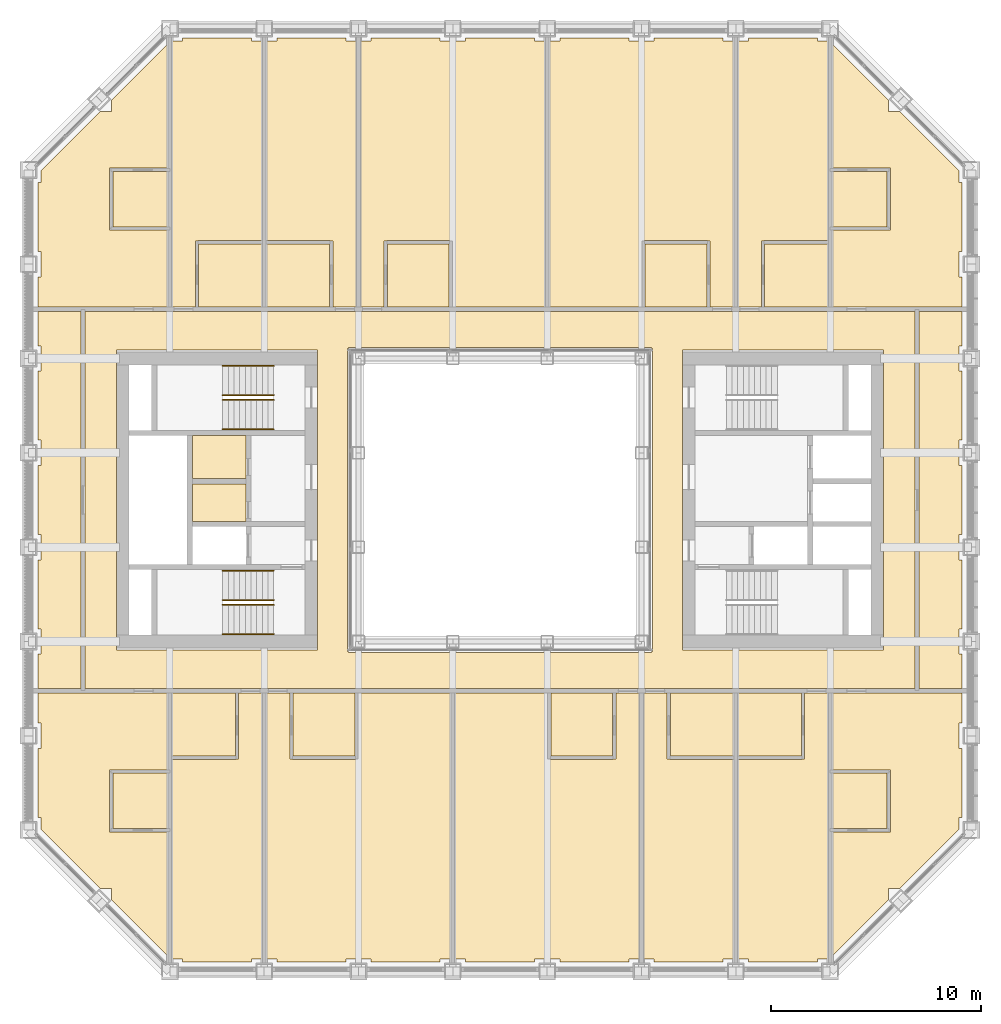
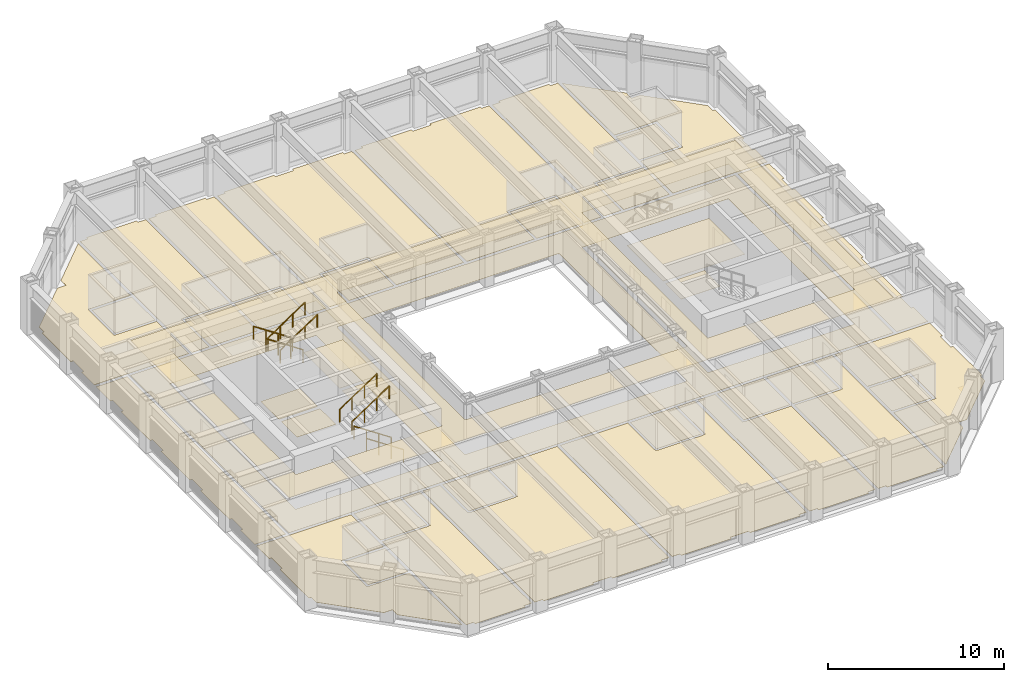
# One storey, part 15 of 17: 8 railings, 5 coverings.
"""IFC4 building model written with IfcOpenShell, lengths in metres."""

from ifc_helpers import new_model, si_unit, direction, frame, origin, origin_2d, place, context, subcontext, project, spatial, line, indexed_curve, circle, outline, extrude, material, layer, layer_set, type_object, element, save


model = new_model("IFC4")

# Units and contexts
model_context = context("Model", 3, precision=1e-05, world=origin(), true_north=direction((0.0, 1.0)))
body_context = subcontext(model_context, "Body", "Model", "MODEL_VIEW")
ifc_project = project(units=[si_unit("LENGTHUNIT", "METRE"), si_unit("AREAUNIT", "SQUARE_METRE"), si_unit("VOLUMEUNIT", "CUBIC_METRE"), si_unit("PLANEANGLEUNIT", "RADIAN"), si_unit("MASSUNIT", "GRAM", prefix="KILO")], contexts=[model_context])

# Site, building, storey
site_placement = place(None, origin())
site = spatial("IfcSite", under=ifc_project, at=site_placement, CompositionType="ELEMENT")
building_placement = place(site_placement, origin())
building = spatial("IfcBuilding", under=site, at=building_placement, Name="Msasa Ring Tower", CompositionType="ELEMENT")
storey_placement = place(building_placement, frame((0.0, 0.0, 129.199951171875)))
storey = spatial("IfcBuildingStorey", under=building, at=storey_placement, Name="L33", CompositionType="ELEMENT", Elevation=129.199951171875)

# Coverings
ifc_material_1 = material(Name="Gypsum plasterboard on a steel suspension grid", Category="steel")
ifc_layer_1 = layer(ifc_material_1, 0.014892578125)
ifc_layer_set_1 = layer_set([ifc_layer_1], Name="C1 SUSPENDED PLASTERBOARD CEILING 15")
covering_type_1 = type_object("IfcCoveringType", Name="C1 SUSPENDED PLASTERBOARD CEILING 15", PredefinedType="CEILING", material=ifc_layer_set_1)
covering_1_placement = place(storey_placement, frame((0.0, 0.0, 2.400146484375)))
element("IfcCovering", 1, at=covering_1_placement, inside=storey, type_object=covering_type_1, Name="Suspended Plasterboard Ceiling 15 circulation L33", PredefinedType="CEILING", context=body_context, shape_type="SweptSolid", body=[
    extrude(outline(indexed_curve([(19.799560546875, 8.99951171875), (19.799560546875, -8.99951171875), (-19.799560546875, -8.99951171875), (-19.799560546875, 8.99951171875)], segments=[line(1, 2, 3, 4, 1)], self_intersect=False), holes=[indexed_curve([(18.300537109375, -7.150390625), (18.300537109375, 7.150390625), (8.699462890625, 7.150390625), (8.699462890625, -7.150390625)], segments=[line(1, 2, 3, 4, 1)], self_intersect=False), indexed_curve([(-8.699462890625, -7.150390625), (-8.699462890625, 7.150390625), (-18.300537109375, 7.150390625), (-18.300537109375, -7.150390625)], segments=[line(1, 2, 3, 4, 1)], self_intersect=False), indexed_curve([(-7.280517578125, 7.23046875), (-7.280517578125, -7.23046875), (-7.22998046875, -7.23046875), (-7.22998046875, -7.280029296875), (7.22998046875, -7.280029296875), (7.22998046875, -7.23046875), (7.280517578125, -7.23046875), (7.280517578125, 7.23046875), (7.22998046875, 7.23046875), (7.22998046875, 7.280029296875), (-7.22998046875, 7.280029296875), (-7.22998046875, 7.23046875)], segments=[line(1, 2, 3, 4, 5, 6, 7, 8, 9, 10, 11, 12, 1)], self_intersect=False)]), origin(), (0.0, 0.0, 1.0), 0.014892578125),
    extrude(outline(indexed_curve([(-9.300537109375, -3.074462890625), (-11.87451171875, -3.074462890625), (-11.87451171875, -1.275390625), (-9.300537109375, -1.275390625)], segments=[line(1, 2, 3, 4, 1)], self_intersect=False)), origin(), (0.0, 0.0, 1.0), 0.014892578125),
    extrude(outline(indexed_curve([(-11.87451171875, -1.0244140625), (-11.87451171875, 3.074462890625), (-9.300537109375, 3.074462890625), (-9.300537109375, -1.0244140625)], segments=[line(1, 2, 3, 4, 1)], self_intersect=False)), origin(), (0.0, 0.0, 1.0), 0.014892578125),
    extrude(outline(indexed_curve([(11.87451171875, -3.074462890625), (9.300537109375, -3.074462890625), (9.300537109375, -1.275390625), (11.87451171875, -1.275390625)], segments=[line(1, 2, 3, 4, 1)], self_intersect=False)), origin(), (0.0, 0.0, 1.0), 0.014892578125),
    extrude(outline(indexed_curve([(9.300537109375, -1.0244140625), (9.300537109375, 3.074462890625), (14.674560546875, 3.074462890625), (14.674560546875, -1.0244140625)], segments=[line(1, 2, 3, 4, 1)], self_intersect=False)), origin(), (0.0, 0.0, 1.0), 0.014892578125),
])
ifc_material_2 = material(Name="Wool-blend carpet on felt underlay", Category="textile")
ifc_layer_2 = layer(ifc_material_2, 0.011962890625)
ifc_layer_set_2 = layer_set([ifc_layer_2], Name="F2 CARPET ON UNDERLAY 12")
covering_type_2 = type_object("IfcCoveringType", Name="F2 CARPET ON UNDERLAY 12", PredefinedType="FLOORING", material=ifc_layer_set_2)
covering_2_placement = place(storey_placement, origin())
element("IfcCovering", 2, at=covering_2_placement, inside=storey, type_object=covering_type_2, Name="Carpet On Underlay 12 L33", PredefinedType="FLOORING", context=body_context, shape_type="SweptSolid", body=[
    extrude(outline(indexed_curve([(19.799560546875, 8.99951171875), (19.799560546875, -8.99951171875), (-19.799560546875, -8.99951171875), (-19.799560546875, 8.99951171875)], segments=[line(1, 2, 3, 4, 1)], self_intersect=False), holes=[indexed_curve([(8.699462890625, -7.150390625), (18.300537109375, -7.150390625), (18.300537109375, 7.150390625), (8.699462890625, 7.150390625)], segments=[line(1, 2, 3, 4, 1)], self_intersect=False), indexed_curve([(-18.300537109375, 7.150390625), (-18.300537109375, -7.150390625), (-8.699462890625, -7.150390625), (-8.699462890625, 7.150390625)], segments=[line(1, 2, 3, 4, 1)], self_intersect=False), indexed_curve([(-7.280517578125, 7.23046875), (-7.280517578125, -7.23046875), (-7.22998046875, -7.23046875), (-7.22998046875, -7.280029296875), (7.22998046875, -7.280029296875), (7.22998046875, -7.23046875), (7.280517578125, -7.23046875), (7.280517578125, 7.23046875), (7.22998046875, 7.23046875), (7.22998046875, 7.280029296875), (-7.22998046875, 7.280029296875), (-7.22998046875, 7.23046875)], segments=[line(1, 2, 3, 4, 5, 6, 7, 8, 9, 10, 11, 12, 1)], self_intersect=False)]), origin(), (0.0, 0.0, 1.0), 0.011962890625),
    extrude(outline(indexed_curve([(-12.60009765625, -12.3505859375), (-12.474609375, -12.35009765625), (-12.474609375, -9.200439453125), (-11.3505859375, -9.200439453125), (-11.3505859375, -21.8994140625), (-11.8505859375, -21.8994140625), (-11.8505859375, -22.049560546875), (-15.1494140625, -22.049560546875), (-15.1494140625, -21.8994140625), (-15.6494140625, -21.8994140625), (-15.6494140625, -12.37548828125), (-12.60009765625, -12.37548828125)], segments=[line(1, 2, 3, 4, 5, 6, 7, 8, 9, 10, 11, 12, 1)], self_intersect=False)), origin(), (0.0, 0.0, 1.0), 0.011962890625),
    extrude(outline(indexed_curve([(-14.39990234375, 12.3505859375), (-14.525390625, 12.35009765625), (-14.525390625, 9.200439453125), (-15.6494140625, 9.200439453125), (-15.6494140625, 21.8994140625), (-15.1494140625, 21.8994140625), (-15.1494140625, 22.049560546875), (-11.8505859375, 22.049560546875), (-11.8505859375, 21.8994140625), (-11.3505859375, 21.8994140625), (-11.3505859375, 12.37548828125), (-14.39990234375, 12.37548828125)], segments=[line(1, 2, 3, 4, 5, 6, 7, 8, 9, 10, 11, 12, 1)], self_intersect=False)), origin(), (0.0, 0.0, 1.0), 0.011962890625),
    extrude(outline(indexed_curve([(-7.3505859375, 22.049560546875), (-7.3505859375, 21.8994140625), (-6.8505859375, 21.8994140625), (-6.8505859375, 9.200439453125), (-7.974609375, 9.200439453125), (-7.974609375, 12.35009765625), (-8.10009765625, 12.3505859375), (-8.10009765625, 12.37548828125), (-11.1494140625, 12.37548828125), (-11.1494140625, 21.8994140625), (-10.6494140625, 21.8994140625), (-10.6494140625, 22.049560546875)], segments=[line(1, 2, 3, 4, 5, 6, 7, 8, 9, 10, 11, 12, 1)], self_intersect=False)), origin(), (0.0, 0.0, 1.0), 0.011962890625),
    extrude(outline(indexed_curve([(7.3505859375, -22.049560546875), (7.3505859375, -21.8994140625), (6.8505859375, -21.8994140625), (6.8505859375, -9.200439453125), (7.974609375, -9.200439453125), (7.974609375, -12.35009765625), (8.10009765625, -12.3505859375), (8.10009765625, -12.37548828125), (11.1494140625, -12.37548828125), (11.1494140625, -21.8994140625), (10.6494140625, -21.8994140625), (10.6494140625, -22.049560546875)], segments=[line(1, 2, 3, 4, 5, 6, 7, 8, 9, 10, 11, 12, 1)], self_intersect=False)), origin(), (0.0, 0.0, 1.0), 0.011962890625),
    extrude(outline(indexed_curve([(14.39990234375, -12.3505859375), (14.525390625, -12.35009765625), (14.525390625, -9.200439453125), (15.6494140625, -9.200439453125), (15.6494140625, -21.8994140625), (15.1494140625, -21.8994140625), (15.1494140625, -22.049560546875), (11.8505859375, -22.049560546875), (11.8505859375, -21.8994140625), (11.3505859375, -21.8994140625), (11.3505859375, -12.37548828125), (14.39990234375, -12.37548828125)], segments=[line(1, 2, 3, 4, 5, 6, 7, 8, 9, 10, 11, 12, 1)], self_intersect=False)), origin(), (0.0, 0.0, 1.0), 0.011962890625),
    extrude(outline(indexed_curve([(12.60009765625, 12.3505859375), (12.474609375, 12.35009765625), (12.474609375, 9.200439453125), (11.3505859375, 9.200439453125), (11.3505859375, 21.8994140625), (11.8505859375, 21.8994140625), (11.8505859375, 22.049560546875), (15.1494140625, 22.049560546875), (15.1494140625, 21.8994140625), (15.6494140625, 21.8994140625), (15.6494140625, 12.37548828125), (12.60009765625, 12.37548828125)], segments=[line(1, 2, 3, 4, 5, 6, 7, 8, 9, 10, 11, 12, 1)], self_intersect=False)), origin(), (0.0, 0.0, 1.0), 0.011962890625),
])
ifc_material_3 = material(Name="Engineered oak boards on an acoustic underlay", Category="wood")
ifc_layer_3 = layer(ifc_material_3, 0.01806640625)
ifc_layer_set_3 = layer_set([ifc_layer_3], Name="F3 ENGINEERED TIMBER ON ACOUSTIC UNDERLAY 18")
covering_type_3 = type_object("IfcCoveringType", Name="F3 ENGINEERED TIMBER ON ACOUSTIC UNDERLAY 18", PredefinedType="FLOORING", material=ifc_layer_set_3)
covering_3_placement = place(storey_placement, origin())
element("IfcCovering", 3, at=covering_3_placement, inside=storey, type_object=covering_type_3, Name="Engineered Timber On Acoustic Underlay 18 L33", PredefinedType="FLOORING", context=body_context, shape_type="SweptSolid", body=[
    extrude(outline(indexed_curve([(-15.8505859375, -21.762451171875), (-18.5244140625, -19.08837890625), (-18.5244140625, -18.5244140625), (-19.08837890625, -18.5244140625), (-21.8994140625, -15.71337890625), (-21.8994140625, -15.1494140625), (-22.049560546875, -15.1494140625), (-22.049560546875, -11.8505859375), (-21.8994140625, -11.8505859375), (-21.8994140625, -10.6494140625), (-22.049560546875, -10.6494140625), (-22.049560546875, -9.200439453125), (-15.8505859375, -9.200439453125), (-15.8505859375, -12.869384765625), (-18.630615234375, -12.869384765625), (-18.630615234375, -15.83056640625), (-15.8505859375, -15.83056640625)], segments=[line(1, 2, 3, 4, 5, 6, 7, 8, 9, 10, 11, 12, 13, 14, 15, 16, 17, 1)], self_intersect=False)), origin(), (0.0, 0.0, 1.0), 0.01806640625),
    extrude(outline(indexed_curve([(-18.630615234375, 12.869384765625), (-15.8505859375, 12.869384765625), (-15.8505859375, 9.200439453125), (-22.049560546875, 9.200439453125), (-22.049560546875, 10.6494140625), (-21.8994140625, 10.6494140625), (-21.8994140625, 11.8505859375), (-22.049560546875, 11.8505859375), (-22.049560546875, 15.1494140625), (-21.8994140625, 15.1494140625), (-21.8994140625, 15.71337890625), (-19.08837890625, 18.5244140625), (-18.5244140625, 18.5244140625), (-18.5244140625, 19.08837890625), (-15.8505859375, 21.762451171875), (-15.8505859375, 15.83056640625), (-18.630615234375, 15.83056640625)], segments=[line(1, 2, 3, 4, 5, 6, 7, 8, 9, 10, 11, 12, 13, 14, 15, 16, 17, 1)], self_intersect=False)), origin(), (0.0, 0.0, 1.0), 0.01806640625),
    extrude(outline(indexed_curve([(-9.89990234375, -12.3505859375), (-9.89990234375, -12.37548828125), (-6.89990234375, -12.37548828125), (-6.89990234375, -12.3505859375), (-6.7744140625, -12.35009765625), (-6.7744140625, -9.200439453125), (-2.3505859375, -9.200439453125), (-2.3505859375, -21.8994140625), (-2.8505859375, -21.8994140625), (-2.8505859375, -22.049560546875), (-6.1494140625, -22.049560546875), (-6.1494140625, -21.8994140625), (-7.3505859375, -21.8994140625), (-7.3505859375, -22.049560546875), (-10.6494140625, -22.049560546875), (-10.6494140625, -21.8994140625), (-11.1494140625, -21.8994140625), (-11.1494140625, -9.200439453125), (-10.025390625, -9.200439453125), (-10.025390625, -12.35009765625)], segments=[line(1, 2, 3, 4, 5, 6, 7, 8, 9, 10, 11, 12, 13, 14, 15, 16, 17, 18, 19, 20, 1)], self_intersect=False)), origin(), (0.0, 0.0, 1.0), 0.01806640625),
    extrude(outline(indexed_curve([(-2.39990234375, 12.3505859375), (-2.39990234375, 12.37548828125), (-5.39990234375, 12.37548828125), (-5.39990234375, 12.3505859375), (-5.525390625, 12.35009765625), (-5.525390625, 9.200439453125), (-6.6494140625, 9.200439453125), (-6.6494140625, 21.8994140625), (-6.1494140625, 21.8994140625), (-6.1494140625, 22.049560546875), (-2.8505859375, 22.049560546875), (-2.8505859375, 21.8994140625), (-1.6494140625, 21.8994140625), (-1.6494140625, 22.049560546875), (1.6494140625, 22.049560546875), (1.6494140625, 21.8994140625), (2.1494140625, 21.8994140625), (2.1494140625, 9.200439453125), (-2.2744140625, 9.200439453125), (-2.2744140625, 12.35009765625)], segments=[line(1, 2, 3, 4, 5, 6, 7, 8, 9, 10, 11, 12, 13, 14, 15, 16, 17, 18, 19, 20, 1)], self_intersect=False)), origin(), (0.0, 0.0, 1.0), 0.01806640625),
    extrude(outline(indexed_curve([(2.39990234375, -12.3505859375), (2.39990234375, -12.37548828125), (5.39990234375, -12.37548828125), (5.39990234375, -12.3505859375), (5.525390625, -12.35009765625), (5.525390625, -9.200439453125), (6.6494140625, -9.200439453125), (6.6494140625, -21.8994140625), (6.1494140625, -21.8994140625), (6.1494140625, -22.049560546875), (2.8505859375, -22.049560546875), (2.8505859375, -21.8994140625), (1.6494140625, -21.8994140625), (1.6494140625, -22.049560546875), (-1.6494140625, -22.049560546875), (-1.6494140625, -21.8994140625), (-2.1494140625, -21.8994140625), (-2.1494140625, -9.200439453125), (2.2744140625, -9.200439453125), (2.2744140625, -12.35009765625)], segments=[line(1, 2, 3, 4, 5, 6, 7, 8, 9, 10, 11, 12, 13, 14, 15, 16, 17, 18, 19, 20, 1)], self_intersect=False)), origin(), (0.0, 0.0, 1.0), 0.01806640625),
    extrude(outline(indexed_curve([(9.89990234375, 12.3505859375), (9.89990234375, 12.37548828125), (6.89990234375, 12.37548828125), (6.89990234375, 12.3505859375), (6.7744140625, 12.35009765625), (6.7744140625, 9.200439453125), (2.3505859375, 9.200439453125), (2.3505859375, 21.8994140625), (2.8505859375, 21.8994140625), (2.8505859375, 22.049560546875), (6.1494140625, 22.049560546875), (6.1494140625, 21.8994140625), (7.3505859375, 21.8994140625), (7.3505859375, 22.049560546875), (10.6494140625, 22.049560546875), (10.6494140625, 21.8994140625), (11.1494140625, 21.8994140625), (11.1494140625, 9.200439453125), (10.025390625, 9.200439453125), (10.025390625, 12.35009765625)], segments=[line(1, 2, 3, 4, 5, 6, 7, 8, 9, 10, 11, 12, 13, 14, 15, 16, 17, 18, 19, 20, 1)], self_intersect=False)), origin(), (0.0, 0.0, 1.0), 0.01806640625),
    extrude(outline(indexed_curve([(18.630615234375, -12.869384765625), (15.8505859375, -12.869384765625), (15.8505859375, -9.200439453125), (22.049560546875, -9.200439453125), (22.049560546875, -10.6494140625), (21.8994140625, -10.6494140625), (21.8994140625, -11.8505859375), (22.049560546875, -11.8505859375), (22.049560546875, -15.1494140625), (21.8994140625, -15.1494140625), (21.8994140625, -15.71337890625), (19.08837890625, -18.5244140625), (18.5244140625, -18.5244140625), (18.5244140625, -19.08837890625), (15.8505859375, -21.762451171875), (15.8505859375, -15.83056640625), (18.630615234375, -15.83056640625)], segments=[line(1, 2, 3, 4, 5, 6, 7, 8, 9, 10, 11, 12, 13, 14, 15, 16, 17, 1)], self_intersect=False)), origin(), (0.0, 0.0, 1.0), 0.01806640625),
    extrude(outline(indexed_curve([(15.8505859375, 21.762451171875), (18.5244140625, 19.08837890625), (18.5244140625, 18.5244140625), (19.08837890625, 18.5244140625), (21.8994140625, 15.71337890625), (21.8994140625, 15.1494140625), (22.049560546875, 15.1494140625), (22.049560546875, 11.8505859375), (21.8994140625, 11.8505859375), (21.8994140625, 10.6494140625), (22.049560546875, 10.6494140625), (22.049560546875, 9.200439453125), (15.8505859375, 9.200439453125), (15.8505859375, 12.869384765625), (18.630615234375, 12.869384765625), (18.630615234375, 15.83056640625), (15.8505859375, 15.83056640625)], segments=[line(1, 2, 3, 4, 5, 6, 7, 8, 9, 10, 11, 12, 13, 14, 15, 16, 17, 1)], self_intersect=False)), origin(), (0.0, 0.0, 1.0), 0.01806640625),
])
ifc_material_4 = material(Name="Porcelain floor tiles in adhesive", Category="ceramic")
ifc_layer_4 = layer(ifc_material_4, 0.010009765625)
ifc_layer_set_4 = layer_set([ifc_layer_4], Name="F4 PORCELAIN TILE ON ADHESIVE 10")
covering_type_4 = type_object("IfcCoveringType", Name="F4 PORCELAIN TILE ON ADHESIVE 10", PredefinedType="FLOORING", material=ifc_layer_set_4)
covering_4_placement = place(storey_placement, origin())
element("IfcCovering", 4, at=covering_4_placement, inside=storey, type_object=covering_type_4, Name="Porcelain Tile On Adhesive 10 L33", PredefinedType="FLOORING", context=body_context, shape_type="SweptSolid", body=[
    extrude(outline(indexed_curve([(-18.469482421875, -13.030517578125), (-15.8505859375, -13.030517578125), (-15.8505859375, -15.66943359375), (-18.469482421875, -15.66943359375)], segments=[line(1, 2, 3, 4, 1)], self_intersect=False)), origin(), (0.0, 0.0, 1.0), 0.010009765625),
    extrude(outline(indexed_curve([(-15.8505859375, 15.66943359375), (-15.8505859375, 13.030517578125), (-18.469482421875, 13.030517578125), (-18.469482421875, 15.66943359375)], segments=[line(1, 2, 3, 4, 1)], self_intersect=False)), origin(), (0.0, 0.0, 1.0), 0.010009765625),
    extrude(outline(indexed_curve([(-12.62548828125, -9.200439453125), (-12.62548828125, -12.224609375), (-15.6494140625, -12.224609375), (-15.6494140625, -9.200439453125)], segments=[line(1, 2, 3, 4, 1)], self_intersect=False)), origin(), (0.0, 0.0, 1.0), 0.010009765625),
    extrude(outline(indexed_curve([(-12.12548828125, -1.0244140625), (-14.674560546875, -1.0244140625), (-14.674560546875, 0.7744140625), (-12.12548828125, 0.7744140625)], segments=[line(1, 2, 3, 4, 1)], self_intersect=False)), origin(), (0.0, 0.0, 1.0), 0.010009765625),
    extrude(outline(indexed_curve([(-11.3505859375, 9.200439453125), (-14.37451171875, 9.200439453125), (-14.37451171875, 12.224609375), (-11.3505859375, 12.224609375)], segments=[line(1, 2, 3, 4, 1)], self_intersect=False)), origin(), (0.0, 0.0, 1.0), 0.010009765625),
    extrude(outline(indexed_curve([(-11.1494140625, 9.200439453125), (-11.1494140625, 12.224609375), (-8.12548828125, 12.224609375), (-8.12548828125, 9.200439453125)], segments=[line(1, 2, 3, 4, 1)], self_intersect=False)), origin(), (0.0, 0.0, 1.0), 0.010009765625),
    extrude(outline(indexed_curve([(-6.925537109375, -9.200439453125), (-6.925537109375, -12.224609375), (-9.87451171875, -12.224609375), (-9.87451171875, -9.200439453125)], segments=[line(1, 2, 3, 4, 1)], self_intersect=False)), origin(), (0.0, 0.0, 1.0), 0.010009765625),
    extrude(outline(indexed_curve([(-5.37451171875, 9.200439453125), (-5.37451171875, 12.224609375), (-2.425537109375, 12.224609375), (-2.425537109375, 9.200439453125)], segments=[line(1, 2, 3, 4, 1)], self_intersect=False)), origin(), (0.0, 0.0, 1.0), 0.010009765625),
    extrude(outline(indexed_curve([(5.37451171875, -9.200439453125), (5.37451171875, -12.224609375), (2.425537109375, -12.224609375), (2.425537109375, -9.200439453125)], segments=[line(1, 2, 3, 4, 1)], self_intersect=False)), origin(), (0.0, 0.0, 1.0), 0.010009765625),
    extrude(outline(indexed_curve([(6.925537109375, 9.200439453125), (6.925537109375, 12.224609375), (9.87451171875, 12.224609375), (9.87451171875, 9.200439453125)], segments=[line(1, 2, 3, 4, 1)], self_intersect=False)), origin(), (0.0, 0.0, 1.0), 0.010009765625),
    extrude(outline(indexed_curve([(11.1494140625, -9.200439453125), (11.1494140625, -12.224609375), (8.12548828125, -12.224609375), (8.12548828125, -9.200439453125)], segments=[line(1, 2, 3, 4, 1)], self_intersect=False)), origin(), (0.0, 0.0, 1.0), 0.010009765625),
    extrude(outline(indexed_curve([(14.37451171875, -9.200439453125), (14.37451171875, -12.224609375), (11.3505859375, -12.224609375), (11.3505859375, -9.200439453125)], segments=[line(1, 2, 3, 4, 1)], self_intersect=False)), origin(), (0.0, 0.0, 1.0), 0.010009765625),
    extrude(outline(indexed_curve([(15.6494140625, 9.200439453125), (12.62548828125, 9.200439453125), (12.62548828125, 12.224609375), (15.6494140625, 12.224609375)], segments=[line(1, 2, 3, 4, 1)], self_intersect=False)), origin(), (0.0, 0.0, 1.0), 0.010009765625),
    extrude(outline(indexed_curve([(18.469482421875, -13.030517578125), (18.469482421875, -15.66943359375), (15.8505859375, -15.66943359375), (15.8505859375, -13.030517578125)], segments=[line(1, 2, 3, 4, 1)], self_intersect=False)), origin(), (0.0, 0.0, 1.0), 0.010009765625),
    extrude(outline(indexed_curve([(18.469482421875, 15.66943359375), (18.469482421875, 13.030517578125), (15.8505859375, 13.030517578125), (15.8505859375, 15.66943359375)], segments=[line(1, 2, 3, 4, 1)], self_intersect=False)), origin(), (0.0, 0.0, 1.0), 0.010009765625),
])
ifc_material_5 = material(Name="Welded vinyl safety sheet flooring", Category="vinyl")
ifc_layer_5 = layer(ifc_material_5, 0.0029296875)
ifc_layer_set_5 = layer_set([ifc_layer_5], Name="F5 RESILIENT SHEET FLOORING 3")
covering_type_5 = type_object("IfcCoveringType", Name="F5 RESILIENT SHEET FLOORING 3", PredefinedType="FLOORING", material=ifc_layer_set_5)
covering_5_placement = place(storey_placement, origin())
element("IfcCovering", 5, at=covering_5_placement, inside=storey, type_object=covering_type_5, Name="Resilient Sheet Flooring 3 L33", PredefinedType="FLOORING", context=body_context, shape_type="SweptSolid", body=[
    extrude(outline(indexed_curve([(-22.049560546875, -7.3505859375), (-21.8994140625, -7.3505859375), (-21.8994140625, -6.1494140625), (-22.049560546875, -6.1494140625), (-22.049560546875, -2.8505859375), (-21.8994140625, -2.8505859375), (-21.8994140625, -1.6494140625), (-22.049560546875, -1.6494140625), (-22.049560546875, 1.6494140625), (-21.8994140625, 1.6494140625), (-21.8994140625, 2.8505859375), (-22.049560546875, 2.8505859375), (-22.049560546875, 6.1494140625), (-21.8994140625, 6.1494140625), (-21.8994140625, 7.3505859375), (-22.049560546875, 7.3505859375), (-22.049560546875, 8.99951171875), (-20.00048828125, 8.99951171875), (-20.00048828125, -8.99951171875), (-22.049560546875, -8.99951171875)], segments=[line(1, 2, 3, 4, 5, 6, 7, 8, 9, 10, 11, 12, 13, 14, 15, 16, 17, 18, 19, 20, 1)], self_intersect=False)), origin(), (0.0, 0.0, 1.0), 0.0029296875),
    extrude(outline(indexed_curve([(-14.674560546875, 3.074462890625), (-12.12548828125, 3.074462890625), (-12.12548828125, 1.025390625), (-14.674560546875, 1.025390625)], segments=[line(1, 2, 3, 4, 1)], self_intersect=False)), origin(), (0.0, 0.0, 1.0), 0.0029296875),
    extrude(outline(indexed_curve([(22.049560546875, 7.3505859375), (21.8994140625, 7.3505859375), (21.8994140625, 6.1494140625), (22.049560546875, 6.1494140625), (22.049560546875, 2.8505859375), (21.8994140625, 2.8505859375), (21.8994140625, 1.6494140625), (22.049560546875, 1.6494140625), (22.049560546875, -1.6494140625), (21.8994140625, -1.6494140625), (21.8994140625, -2.8505859375), (22.049560546875, -2.8505859375), (22.049560546875, -6.1494140625), (21.8994140625, -6.1494140625), (21.8994140625, -7.3505859375), (22.049560546875, -7.3505859375), (22.049560546875, -8.99951171875), (20.00048828125, -8.99951171875), (20.00048828125, 8.99951171875), (22.049560546875, 8.99951171875)], segments=[line(1, 2, 3, 4, 5, 6, 7, 8, 9, 10, 11, 12, 13, 14, 15, 16, 17, 18, 19, 20, 1)], self_intersect=False)), origin(), (0.0, 0.0, 1.0), 0.0029296875),
])

# Railings
ifc_material_6 = material(Name="Stainless steel", Category="steel")
railing_type = type_object("IfcRailingType", Name="HR1 HANDRAIL 900", PredefinedType="HANDRAIL", material=ifc_material_6)
for number, where, name in (
    (6, (-10.800048828125, -6.39990234375, 0.179931640625), "Handrail stair SWA L33 1"),
    (7, (-10.800048828125, -5.0, 0.179931640625), "Handrail stair SWA L33 2"),
):
    element("IfcRailing", number, at=place(storey_placement, frame(where)), inside=storey, type_object=railing_type, Name=name, PredefinedType="HANDRAIL", context=body_context, shape_type="SweptSolid", body=[
        extrude(circle(Radius=0.02392578125, at=origin_2d()), frame((0.0, 0.0, 0.8759765625), z_axis=(-0.832024571796, 0.0, 0.554738778101), x_axis=(0.0, -1.0, 0.0)), (0.0, 0.0, 1.0), 2.92041015625),
        extrude(circle(Radius=0.02099609375, at=origin_2d()), origin(), (0.0, 0.0, 1.0), 0.851806640625),
        extrude(circle(Radius=0.02099609375, at=origin_2d()), frame((-0.81005859375, 0.0, 0.5400390625)), (0.0, 0.0, 1.0), 0.851806640625),
        extrude(circle(Radius=0.02099609375, at=origin_2d()), frame((-1.619873046875, 0.0, 1.080078125)), (0.0, 0.0, 1.0), 0.851806640625),
        extrude(circle(Radius=0.02099609375, at=origin_2d()), frame((-2.429931640625, 0.0, 1.6201171875)), (0.0, 0.0, 1.0), 0.851806640625),
    ])
for number, where, name in (
    (8, (-13.22998046875, -4.77490234375, 1.97998046875), "Handrail stair SWA L33 3"),
    (9, (-13.22998046875, -3.375, 1.97998046875), "Handrail stair SWA L33 4"),
):
    element("IfcRailing", number, at=place(storey_placement, frame(where)), inside=storey, type_object=railing_type, Name=name, PredefinedType="HANDRAIL", context=body_context, shape_type="SweptSolid", body=[
        extrude(circle(Radius=0.02392578125, at=origin_2d()), frame((0.0, 0.0, 0.8759765625), z_axis=(0.832024571796, 0.0, 0.554738778101), x_axis=(0.0, 1.0, 0.0)), (0.0, 0.0, 1.0), 2.92041015625),
        extrude(circle(Radius=0.02099609375, at=origin_2d()), origin(), (0.0, 0.0, 1.0), 0.851806640625),
        extrude(circle(Radius=0.02099609375, at=origin_2d()), frame((0.81005859375, 0.0, 0.5400390625)), (0.0, 0.0, 1.0), 0.851806640625),
        extrude(circle(Radius=0.02099609375, at=origin_2d()), frame((1.619873046875, 0.0, 1.080078125)), (0.0, 0.0, 1.0), 0.851806640625),
        extrude(circle(Radius=0.02099609375, at=origin_2d()), frame((2.429931640625, 0.0, 1.6201171875)), (0.0, 0.0, 1.0), 0.851806640625),
    ])
for number, where, name in (
    (10, (-10.800048828125, 5.0, 0.179931640625), "Handrail stair SWB L33 1"),
    (11, (-10.800048828125, 6.39990234375, 0.179931640625), "Handrail stair SWB L33 2"),
):
    element("IfcRailing", number, at=place(storey_placement, frame(where)), inside=storey, type_object=railing_type, Name=name, PredefinedType="HANDRAIL", context=body_context, shape_type="SweptSolid", body=[
        extrude(circle(Radius=0.02392578125, at=origin_2d()), frame((0.0, 0.0, 0.8759765625), z_axis=(-0.832024571796, 0.0, 0.554738778101), x_axis=(0.0, -1.0, 0.0)), (0.0, 0.0, 1.0), 2.92041015625),
        extrude(circle(Radius=0.02099609375, at=origin_2d()), origin(), (0.0, 0.0, 1.0), 0.851806640625),
        extrude(circle(Radius=0.02099609375, at=origin_2d()), frame((-0.81005859375, 0.0, 0.5400390625)), (0.0, 0.0, 1.0), 0.851806640625),
        extrude(circle(Radius=0.02099609375, at=origin_2d()), frame((-1.619873046875, 0.0, 1.080078125)), (0.0, 0.0, 1.0), 0.851806640625),
        extrude(circle(Radius=0.02099609375, at=origin_2d()), frame((-2.429931640625, 0.0, 1.6201171875)), (0.0, 0.0, 1.0), 0.851806640625),
    ])
for number, where, name in (
    (12, (-13.22998046875, 3.375, 1.97998046875), "Handrail stair SWB L33 3"),
    (13, (-13.22998046875, 4.77490234375, 1.97998046875), "Handrail stair SWB L33 4"),
):
    element("IfcRailing", number, at=place(storey_placement, frame(where)), inside=storey, type_object=railing_type, Name=name, PredefinedType="HANDRAIL", context=body_context, shape_type="SweptSolid", body=[
        extrude(circle(Radius=0.02392578125, at=origin_2d()), frame((0.0, 0.0, 0.8759765625), z_axis=(0.832024571796, 0.0, 0.554738778101), x_axis=(0.0, 1.0, 0.0)), (0.0, 0.0, 1.0), 2.92041015625),
        extrude(circle(Radius=0.02099609375, at=origin_2d()), origin(), (0.0, 0.0, 1.0), 0.851806640625),
        extrude(circle(Radius=0.02099609375, at=origin_2d()), frame((0.81005859375, 0.0, 0.5400390625)), (0.0, 0.0, 1.0), 0.851806640625),
        extrude(circle(Radius=0.02099609375, at=origin_2d()), frame((1.619873046875, 0.0, 1.080078125)), (0.0, 0.0, 1.0), 0.851806640625),
        extrude(circle(Radius=0.02099609375, at=origin_2d()), frame((2.429931640625, 0.0, 1.6201171875)), (0.0, 0.0, 1.0), 0.851806640625),
    ])

save(model, "model.ifc")
